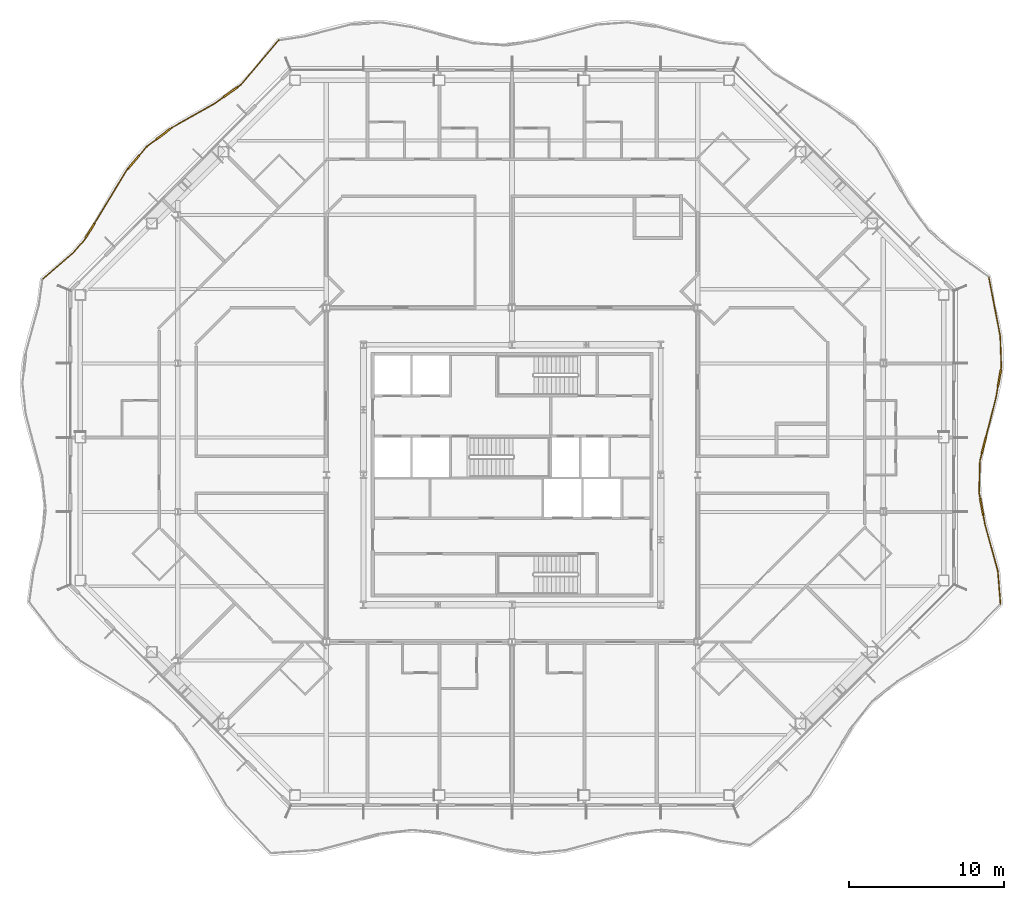
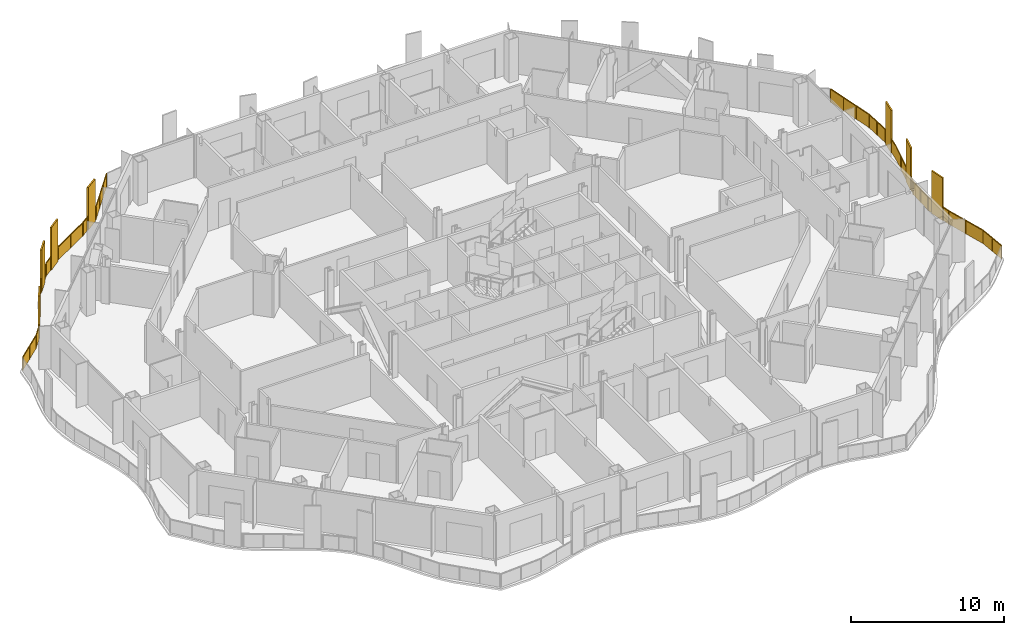
# One storey, part 20 of 21: 2 railings.
"""IFC4 building model written with IfcOpenShell, lengths in metres."""

from ifc_helpers import new_model, si_unit, direction, frame, origin, origin_2d, place, context, subcontext, project, spatial, polyline, rectangle, outline, extrude, material, type_object, element, save


model = new_model("IFC4")

# Units and contexts
model_context = context("Model", 3, precision=1e-05, world=origin(), true_north=direction((0.0, 1.0)))
body_context = subcontext(model_context, "Body", "Model", "MODEL_VIEW")
ifc_project = project(units=[si_unit("LENGTHUNIT", "METRE"), si_unit("AREAUNIT", "SQUARE_METRE"), si_unit("VOLUMEUNIT", "CUBIC_METRE"), si_unit("PLANEANGLEUNIT", "RADIAN"), si_unit("MASSUNIT", "GRAM", prefix="KILO")], contexts=[model_context])

# Site, building, storey
site_placement = place(None, origin())
site = spatial("IfcSite", under=ifc_project, at=site_placement, CompositionType="ELEMENT")
building_placement = place(site_placement, origin())
building = spatial("IfcBuilding", under=site, at=building_placement, Name="Cairn Pilgrim Tower", CompositionType="ELEMENT")
storey_placement = place(building_placement, frame((0.0, 0.0, 139.800048828125)))
storey = spatial("IfcBuildingStorey", under=building, at=storey_placement, Name="L34", CompositionType="ELEMENT", Elevation=139.800048828125)

# Railings
ifc_material = material(Name="Bronze anodised aluminium rail, posts and fin screens with laminated glass infill", Category="aluminium")
railing_type = type_object("IfcRailingType", Name="BALCONY GUARD WITH FIN SCREENS", PredefinedType="GUARDRAIL", material=ifc_material)
railing_1_placement = place(storey_placement, frame((38.767822265625, -5.95458984375, 0.0)))
element("IfcRailing", 1, at=railing_1_placement, inside=storey, type_object=railing_type, Name="Balcony guard BGF-3 with fin screens", PredefinedType="GUARDRAIL", context=body_context, shape_type="SweptSolid", body=[
    extrude(rectangle(XDim=0.050048828125, YDim=0.050048828125, at=origin_2d()), frame((0.0, 0.0, 1.0751953125), z_axis=(-0.080889182155, 0.996723101072, 0.0), x_axis=(-0.996723101072, -0.080889182155, 0.0)), (0.0, 0.0, 1.0), 2.14599609375),
    extrude(rectangle(XDim=0.050048828125, YDim=0.050048828125, at=origin_2d()), frame((-0.173583984375, 2.138916015625, 1.0751953125), z_axis=(-0.265487516633, 0.964114297431, 0.0), x_axis=(-0.964114297431, -0.265487516633, 0.0)), (0.0, 0.0, 1.0), 3.13671875),
    extrude(rectangle(XDim=1.10009765625, YDim=0.110107421875, at=origin_2d()), frame((-1.21435546875, 6.287841796875, 0.0), z_axis=(0.0, 0.0, 1.0), x_axis=(-0.181790485481, 0.983337286687, 0.0)), (0.0, 0.0, 1.0), 3.39990234375),
    extrude(rectangle(XDim=0.050048828125, YDim=0.050048828125, at=origin_2d()), frame((-1.00634765625, 5.1630859375, 1.0751953125), z_axis=(-0.181790485481, 0.983337286687, 0.0), x_axis=(-0.983337286687, -0.181790485481, 0.0)), (0.0, 0.0, 1.0), 0.593994140625),
    extrude(rectangle(XDim=0.050048828125, YDim=0.050048828125, at=origin_2d()), frame((-1.314208984375, 6.828857421875, 1.0751953125), z_axis=(-0.181790485481, 0.983337286687, 0.0), x_axis=(-0.983337286687, -0.181790485481, 0.0)), (0.0, 0.0, 1.0), 0.3837890625),
    extrude(rectangle(XDim=0.050048828125, YDim=0.050048828125, at=origin_2d()), frame((-1.384033203125, 7.2060546875, 1.0751953125), z_axis=(0.026859881236, 0.999639208305, 0.0), x_axis=(-0.999639208305, 0.026859881236, 0.0)), (0.0, 0.0, 1.0), 2.05419921875),
    extrude(rectangle(XDim=1.10009765625, YDim=0.110107421875, at=origin_2d()), frame((-1.074462890625, 10.261474609375, 0.0), z_axis=(0.0, 0.0, 1.0), x_axis=(0.245982331088, 0.969274312459, 0.0)), (0.0, 0.0, 1.0), 3.39990234375),
    extrude(rectangle(XDim=0.050048828125, YDim=0.050048828125, at=origin_2d()), frame((-1.328857421875, 9.259521484375, 1.0751953125), z_axis=(0.245982331088, 0.969274312459, 0.0), x_axis=(-0.969274312459, 0.245982331088, 0.0)), (0.0, 0.0, 1.0), 0.483642578125),
    extrude(rectangle(XDim=0.050048828125, YDim=0.050048828125, at=origin_2d()), frame((-0.939208984375, 10.794677734375, 1.0751953125), z_axis=(0.245982331088, 0.969274312459, 0.0), x_axis=(-0.969274312459, 0.245982331088, 0.0)), (0.0, 0.0, 1.0), 2.59765625),
    extrude(rectangle(XDim=1.10009765625, YDim=0.110107421875, at=origin_2d()), frame((-0.06787109375, 14.623291015625, 0.0), z_axis=(0.0, 0.0, 1.0), x_axis=(0.174642358515, 0.984631934589, 0.0)), (0.0, 0.0, 1.0), 3.39990234375),
    extrude(rectangle(XDim=0.050048828125, YDim=0.050048828125, at=origin_2d()), frame((-0.30029296875, 13.3125, 1.0751953125), z_axis=(0.174642358515, 0.984631934589, 0.0), x_axis=(-0.984631934589, 0.174642358515, 0.0)), (0.0, 0.0, 1.0), 0.78125),
    extrude(rectangle(XDim=0.050048828125, YDim=0.050048828125, at=origin_2d()), frame((0.0283203125, 15.164794921875, 1.0751953125), z_axis=(0.174642358515, 0.984631934589, 0.0), x_axis=(-0.984631934589, 0.174642358515, 0.0)), (0.0, 0.0, 1.0), 0.14990234375),
    extrude(rectangle(XDim=0.050048828125, YDim=0.050048828125, at=origin_2d()), frame((0.054443359375, 15.3125, 1.0751953125), z_axis=(-0.036228497932, 0.999343532494, 0.0), x_axis=(-0.999343532494, -0.036228497932, 0.0)), (0.0, 0.0, 1.0), 1.99462890625),
    extrude(rectangle(XDim=0.050048828125, YDim=0.050048828125, at=origin_2d()), frame((-0.017822265625, 17.305908203125, 1.0751953125), z_axis=(-0.189506592025, 0.981879448598, 0.0), x_axis=(-0.981879448598, -0.189506592025, 0.0)), (0.0, 0.0, 1.0), 3.859619140625),
    extrude(rectangle(XDim=0.050048828125, YDim=0.050048828125, at=origin_2d()), origin(), (0.0, 0.0, 1.0), 1.050048828125),
    extrude(rectangle(XDim=0.050048828125, YDim=0.050048828125, at=origin_2d()), frame((-0.0869140625, 1.0693359375, 0.0)), (0.0, 0.0, 1.0), 1.050048828125),
    extrude(rectangle(XDim=0.050048828125, YDim=0.050048828125, at=origin_2d()), frame((-0.173583984375, 2.138916015625, 0.0)), (0.0, 0.0, 1.0), 1.050048828125),
    extrude(rectangle(XDim=0.050048828125, YDim=0.050048828125, at=origin_2d()), frame((-0.58984375, 3.65087890625, 0.0)), (0.0, 0.0, 1.0), 1.050048828125),
    extrude(rectangle(XDim=0.050048828125, YDim=0.050048828125, at=origin_2d()), frame((-1.00634765625, 5.1630859375, 0.0)), (0.0, 0.0, 1.0), 1.050048828125),
    extrude(rectangle(XDim=0.050048828125, YDim=0.050048828125, at=origin_2d()), frame((-1.10986328125, 5.722412109375, 0.0)), (0.0, 0.0, 1.0), 1.050048828125),
    extrude(rectangle(XDim=0.050048828125, YDim=0.050048828125, at=origin_2d()), frame((-1.31884765625, 6.853271484375, 0.0)), (0.0, 0.0, 1.0), 1.050048828125),
    extrude(rectangle(XDim=0.050048828125, YDim=0.050048828125, at=origin_2d()), frame((-1.384033203125, 7.2060546875, 0.0)), (0.0, 0.0, 1.0), 1.050048828125),
    extrude(rectangle(XDim=0.050048828125, YDim=0.050048828125, at=origin_2d()), frame((-1.3564453125, 8.23291015625, 0.0)), (0.0, 0.0, 1.0), 1.050048828125),
    extrude(rectangle(XDim=0.050048828125, YDim=0.050048828125, at=origin_2d()), frame((-1.328857421875, 9.259521484375, 0.0)), (0.0, 0.0, 1.0), 1.050048828125),
    extrude(rectangle(XDim=0.050048828125, YDim=0.050048828125, at=origin_2d()), frame((-1.216064453125, 9.7041015625, 0.0)), (0.0, 0.0, 1.0), 1.050048828125),
    extrude(rectangle(XDim=0.050048828125, YDim=0.050048828125, at=origin_2d()), frame((-0.93310546875, 10.81884765625, 0.0)), (0.0, 0.0, 1.0), 1.050048828125),
    extrude(rectangle(XDim=0.050048828125, YDim=0.050048828125, at=origin_2d()), frame((-0.61669921875, 12.065673828125, 0.0)), (0.0, 0.0, 1.0), 1.050048828125),
    extrude(rectangle(XDim=0.050048828125, YDim=0.050048828125, at=origin_2d()), frame((-0.30029296875, 13.3125, 0.0)), (0.0, 0.0, 1.0), 1.050048828125),
    extrude(rectangle(XDim=0.050048828125, YDim=0.050048828125, at=origin_2d()), frame((-0.168212890625, 14.05712890625, 0.0)), (0.0, 0.0, 1.0), 1.050048828125),
    extrude(rectangle(XDim=0.050048828125, YDim=0.050048828125, at=origin_2d()), frame((0.03271484375, 15.189453125, 0.0)), (0.0, 0.0, 1.0), 1.050048828125),
    extrude(rectangle(XDim=0.050048828125, YDim=0.050048828125, at=origin_2d()), frame((0.054443359375, 15.3125, 0.0)), (0.0, 0.0, 1.0), 1.050048828125),
    extrude(rectangle(XDim=0.050048828125, YDim=0.050048828125, at=origin_2d()), frame((0.018310546875, 16.30908203125, 0.0)), (0.0, 0.0, 1.0), 1.050048828125),
    extrude(rectangle(XDim=0.050048828125, YDim=0.050048828125, at=origin_2d()), frame((-0.017822265625, 17.305908203125, 0.0)), (0.0, 0.0, 1.0), 1.050048828125),
    extrude(rectangle(XDim=0.050048828125, YDim=0.050048828125, at=origin_2d()), frame((-0.26171875, 18.569091796875, 0.0)), (0.0, 0.0, 1.0), 1.050048828125),
    extrude(rectangle(XDim=0.050048828125, YDim=0.050048828125, at=origin_2d()), frame((-0.50537109375, 19.83251953125, 0.0)), (0.0, 0.0, 1.0), 1.050048828125),
    extrude(rectangle(XDim=0.050048828125, YDim=0.050048828125, at=origin_2d()), frame((-0.749267578125, 21.095703125, 0.0)), (0.0, 0.0, 1.0), 1.050048828125),
    extrude(outline(polyline([(0.02490234375, 0.0), (1.0478515625, 0.0), (1.0478515625, 1.050048828125), (0.02490234375, 1.050048828125), (0.02490234375, 0.0)])), frame((-0.005859375, -0.00048828125, 0.0), z_axis=(0.996723101072, 0.080889182155, 0.0), x_axis=(-0.080889182155, 0.996723101072, 0.0)), (0.0, 0.0, 1.0), 0.011962890625),
    extrude(outline(polyline([(0.02490234375, 0.0), (1.0478515625, 0.0), (1.0478515625, 1.050048828125), (0.02490234375, 1.050048828125), (0.02490234375, 0.0)])), frame((-0.0927734375, 1.069091796875, 0.0), z_axis=(0.996723101072, 0.080889182155, 0.0), x_axis=(-0.080889182155, 0.996723101072, 0.0)), (0.0, 0.0, 1.0), 0.011962890625),
    extrude(outline(polyline([(0.02490234375, 0.0), (1.54345703125, 0.0), (1.54345703125, 1.050048828125), (0.02490234375, 1.050048828125), (0.02490234375, 0.0)])), frame((-0.179443359375, 2.13720703125, 0.0), z_axis=(0.964114297431, 0.265487516633, 0.0), x_axis=(-0.265487516633, 0.964114297431, 0.0)), (0.0, 0.0, 1.0), 0.011962890625),
    extrude(outline(polyline([(0.02490234375, 0.0), (1.54345703125, 0.0), (1.54345703125, 1.050048828125), (0.02490234375, 1.050048828125), (0.02490234375, 0.0)])), frame((-0.595703125, 3.6494140625, 0.0), z_axis=(0.964114297431, 0.265487516633, 0.0), x_axis=(-0.265487516633, 0.964114297431, 0.0)), (0.0, 0.0, 1.0), 0.011962890625),
    extrude(outline(polyline([(0.02490234375, 0.0), (0.5439453125, 0.0), (0.5439453125, 1.050048828125), (0.02490234375, 1.050048828125), (0.02490234375, 0.0)])), frame((-1.01220703125, 5.162109375, 0.0), z_axis=(0.983337286687, 0.181790485481, 0.0), x_axis=(-0.181790485481, 0.983337286687, 0.0)), (0.0, 0.0, 1.0), 0.011962890625),
    extrude(outline(polyline([(0.02490234375, 0.0), (0.333740234375, 0.0), (0.333740234375, 1.050048828125), (0.02490234375, 1.050048828125), (0.02490234375, 0.0)])), frame((-1.32470703125, 6.852294921875, 0.0), z_axis=(0.983337286687, 0.181790485481, 0.0), x_axis=(-0.181790485481, 0.983337286687, 0.0)), (0.0, 0.0, 1.0), 0.011962890625),
    extrude(outline(polyline([(0.02490234375, 0.0), (1.002197265625, 0.0), (1.002197265625, 1.050048828125), (0.02490234375, 1.050048828125), (0.02490234375, 0.0)])), frame((-1.389892578125, 7.206298828125, 0.0), z_axis=(0.999639208305, -0.026859881236, 0.0), x_axis=(0.026859881236, 0.999639208305, 0.0)), (0.0, 0.0, 1.0), 0.011962890625),
    extrude(outline(polyline([(0.02490234375, 0.0), (1.002197265625, 0.0), (1.002197265625, 1.050048828125), (0.02490234375, 1.050048828125), (0.02490234375, 0.0)])), frame((-1.3623046875, 8.23291015625, 0.0), z_axis=(0.999639208305, -0.026859881236, 0.0), x_axis=(0.026859881236, 0.999639208305, 0.0)), (0.0, 0.0, 1.0), 0.011962890625),
    extrude(outline(polyline([(0.02490234375, 0.0), (0.43359375, 0.0), (0.43359375, 1.050048828125), (0.02490234375, 1.050048828125), (0.02490234375, 0.0)])), frame((-1.334716796875, 9.260986328125, 0.0), z_axis=(0.969274312459, -0.245982331088, 0.0), x_axis=(0.245982331088, 0.969274312459, 0.0)), (0.0, 0.0, 1.0), 0.011962890625),
    extrude(outline(polyline([(0.02490234375, 0.0), (1.26123046875, 0.0), (1.26123046875, 1.050048828125), (0.02490234375, 1.050048828125), (0.02490234375, 0.0)])), frame((-0.93896484375, 10.8203125, 0.0), z_axis=(0.969274312459, -0.245982331088, 0.0), x_axis=(0.245982331088, 0.969274312459, 0.0)), (0.0, 0.0, 1.0), 0.011962890625),
    extrude(outline(polyline([(0.02490234375, 0.0), (1.26123046875, 0.0), (1.26123046875, 1.050048828125), (0.02490234375, 1.050048828125), (0.02490234375, 0.0)])), frame((-0.62255859375, 12.067138671875, 0.0), z_axis=(0.969274312459, -0.245982331088, 0.0), x_axis=(0.245982331088, 0.969274312459, 0.0)), (0.0, 0.0, 1.0), 0.011962890625),
    extrude(outline(polyline([(0.02490234375, 0.0), (0.731201171875, 0.0), (0.731201171875, 1.050048828125), (0.02490234375, 1.050048828125), (0.02490234375, 0.0)])), frame((-0.30615234375, 13.3134765625, 0.0), z_axis=(0.984631934589, -0.174642358515, 0.0), x_axis=(0.174642358515, 0.984631934589, 0.0)), (0.0, 0.0, 1.0), 0.011962890625),
    extrude(outline(polyline([(0.02490234375, 0.0), (0.099853515625, 0.0), (0.099853515625, 1.050048828125), (0.02490234375, 1.050048828125), (0.02490234375, 0.0)])), frame((0.02685546875, 15.1904296875, 0.0), z_axis=(0.984631934589, -0.174642358515, 0.0), x_axis=(0.174642358515, 0.984631934589, 0.0)), (0.0, 0.0, 1.0), 0.011962890625),
    extrude(outline(polyline([(0.02490234375, 0.0), (0.972412109375, 0.0), (0.972412109375, 1.050048828125), (0.02490234375, 1.050048828125), (0.02490234375, 0.0)])), frame((0.048583984375, 15.312255859375, 0.0), z_axis=(0.999343532494, 0.036228497932, 0.0), x_axis=(-0.036228497932, 0.999343532494, 0.0)), (0.0, 0.0, 1.0), 0.011962890625),
    extrude(outline(polyline([(0.02490234375, 0.0), (0.972412109375, 0.0), (0.972412109375, 1.050048828125), (0.02490234375, 1.050048828125), (0.02490234375, 0.0)])), frame((0.012451171875, 16.30908203125, 0.0), z_axis=(0.999343532494, 0.036228497932, 0.0), x_axis=(-0.036228497932, 0.999343532494, 0.0)), (0.0, 0.0, 1.0), 0.011962890625),
    extrude(outline(polyline([(0.02490234375, 0.0), (1.261474609375, 0.0), (1.261474609375, 1.050048828125), (0.02490234375, 1.050048828125), (0.02490234375, 0.0)])), frame((-0.023681640625, 17.3046875, 0.0), z_axis=(0.981879448598, 0.189506592025, 0.0), x_axis=(-0.189506592025, 0.981879448598, 0.0)), (0.0, 0.0, 1.0), 0.011962890625),
    extrude(outline(polyline([(0.02490234375, 0.0), (1.261474609375, 0.0), (1.261474609375, 1.050048828125), (0.02490234375, 1.050048828125), (0.02490234375, 0.0)])), frame((-0.267578125, 18.568115234375, 0.0), z_axis=(0.981879448598, 0.189506592025, 0.0), x_axis=(-0.189506592025, 0.981879448598, 0.0)), (0.0, 0.0, 1.0), 0.011962890625),
    extrude(outline(polyline([(0.02490234375, 0.0), (1.261474609375, 0.0), (1.261474609375, 1.050048828125), (0.02490234375, 1.050048828125), (0.02490234375, 0.0)])), frame((-0.51123046875, 19.831298828125, 0.0), z_axis=(0.981879448598, 0.189506592025, 0.0), x_axis=(-0.189506592025, 0.981879448598, 0.0)), (0.0, 0.0, 1.0), 0.011962890625),
])
railing_2_placement = place(storey_placement, frame((-7.87841796875, 30.486328125, 0.0)))
element("IfcRailing", 2, at=railing_2_placement, inside=storey, type_object=railing_type, Name="Balcony guard BGF-6 with fin screens", PredefinedType="GUARDRAIL", context=body_context, shape_type="SweptSolid", body=[
    extrude(rectangle(XDim=0.050048828125, YDim=0.050048828125, at=origin_2d()), frame((0.0, 0.0, 1.0751953125), z_axis=(-0.648153636662, -0.761509595003, 0.0), x_axis=(0.761509595003, -0.648153636662, 0.0)), (0.0, 0.0, 1.0), 3.786376953125),
    extrude(rectangle(XDim=1.10009765625, YDim=0.110107421875, at=origin_2d()), frame((-3.097412109375, -3.3408203125, 0.0), z_axis=(0.0, 0.0, 1.0), x_axis=(-0.81491489283, -0.579580639293, 0.0)), (0.0, 0.0, 1.0), 3.39990234375),
    extrude(rectangle(XDim=0.050048828125, YDim=0.050048828125, at=origin_2d()), frame((-2.4541015625, -2.88330078125, 1.0751953125), z_axis=(-0.81491489283, -0.579580639293, 0.0), x_axis=(0.579580639293, -0.81491489283, 0.0)), (0.0, 0.0, 1.0), 0.2392578125),
    extrude(rectangle(XDim=0.050048828125, YDim=0.050048828125, at=origin_2d()), frame((-3.54541015625, -3.659423828125, 1.0751953125), z_axis=(-0.81491489283, -0.579580639293, 0.0), x_axis=(0.579580639293, -0.81491489283, 0.0)), (0.0, 0.0, 1.0), 0.752197265625),
    extrude(rectangle(XDim=0.050048828125, YDim=0.050048828125, at=origin_2d()), frame((-4.158447265625, -4.095458984375, 1.0751953125), z_axis=(-0.870072876062, -0.492923107939, 0.0), x_axis=(0.492923107939, -0.870072876062, 0.0)), (0.0, 0.0, 1.0), 3.16748046875),
    extrude(rectangle(XDim=1.10009765625, YDim=0.110107421875, at=origin_2d()), frame((-7.473388671875, -6.077880859375, 0.0), z_axis=(0.0, 0.0, 1.0), x_axis=(-0.79875722048, -0.601653473963, 0.0)), (0.0, 0.0, 1.0), 3.39990234375),
    extrude(rectangle(XDim=0.050048828125, YDim=0.050048828125, at=origin_2d()), frame((-6.914306640625, -5.65673828125, 1.0751953125), z_axis=(-0.79875722048, -0.601653473963, 0.0), x_axis=(0.601653473963, -0.79875722048, 0.0)), (0.0, 0.0, 1.0), 0.150146484375),
    extrude(rectangle(XDim=0.050048828125, YDim=0.050048828125, at=origin_2d()), frame((-7.912841796875, -6.408935546875, 1.0751953125), z_axis=(-0.79875722048, -0.601653473963, 0.0), x_axis=(0.601653473963, -0.79875722048, 0.0)), (0.0, 0.0, 1.0), 0.780029296875),
    extrude(rectangle(XDim=1.10009765625, YDim=0.110107421875, at=origin_2d()), frame((-9.38720703125, -7.8798828125, 0.0), z_axis=(0.0, 0.0, 1.0), x_axis=(-0.647651938009, -0.761936327519, 0.0)), (0.0, 0.0, 1.0), 3.39990234375),
    extrude(rectangle(XDim=0.050048828125, YDim=0.050048828125, at=origin_2d()), frame((-8.535888671875, -6.878173828125, 1.0751953125), z_axis=(-0.647651938009, -0.761936327519, 0.0), x_axis=(0.761936327519, -0.647651938009, 0.0)), (0.0, 0.0, 1.0), 0.7646484375),
    extrude(rectangle(XDim=0.050048828125, YDim=0.050048828125, at=origin_2d()), frame((-9.743408203125, -8.298828125, 1.0751953125), z_axis=(-0.647651938009, -0.761936327519, 0.0), x_axis=(0.761936327519, -0.647651938009, 0.0)), (0.0, 0.0, 1.0), 0.14990234375),
    extrude(rectangle(XDim=1.10009765625, YDim=0.110107421875, at=origin_2d()), frame((-12.192138671875, -12.301025390625, 0.0), z_axis=(0.0, 0.0, 1.0), x_axis=(-0.517546194079, -0.855655267613, 0.0)), (0.0, 0.0, 1.0), 3.39990234375),
    extrude(rectangle(XDim=0.050048828125, YDim=0.050048828125, at=origin_2d()), frame((-9.840576171875, -8.4130859375, 1.0751953125), z_axis=(-0.517546194079, -0.855655267613, 0.0), x_axis=(0.855655267613, -0.517546194079, 0.0)), (0.0, 0.0, 1.0), 3.99365234375),
    extrude(rectangle(XDim=0.050048828125, YDim=0.050048828125, at=origin_2d()), frame((-12.476806640625, -12.771484375, 1.0751953125), z_axis=(-0.517546194079, -0.855655267613, 0.0), x_axis=(0.855655267613, -0.517546194079, 0.0)), (0.0, 0.0, 1.0), 0.14990234375),
    extrude(rectangle(XDim=0.050048828125, YDim=0.050048828125, at=origin_2d()), frame((-12.554443359375, -12.89990234375, 1.0751953125), z_axis=(-0.652944244949, -0.757405976335, 0.0), x_axis=(0.757405976335, -0.652944244949, 0.0)), (0.0, 0.0, 1.0), 1.044677734375),
    extrude(rectangle(XDim=0.050048828125, YDim=0.050048828125, at=origin_2d()), frame((-13.236572265625, -13.691162109375, 1.0751953125), z_axis=(-0.755984828565, -0.654589137535, 0.0), x_axis=(0.654589137535, -0.755984828565, 0.0)), (0.0, 0.0, 1.0), 2.641357421875),
    extrude(rectangle(XDim=0.050048828125, YDim=0.050048828125, at=origin_2d()), origin(), (0.0, 0.0, 1.0), 1.050048828125),
    extrude(rectangle(XDim=0.050048828125, YDim=0.050048828125, at=origin_2d()), frame((-0.818115234375, -0.961181640625, 0.0)), (0.0, 0.0, 1.0), 1.050048828125),
    extrude(rectangle(XDim=0.050048828125, YDim=0.050048828125, at=origin_2d()), frame((-1.635986328125, -1.922119140625, 0.0)), (0.0, 0.0, 1.0), 1.050048828125),
    extrude(rectangle(XDim=0.050048828125, YDim=0.050048828125, at=origin_2d()), frame((-2.4541015625, -2.88330078125, 0.0)), (0.0, 0.0, 1.0), 1.050048828125),
    extrude(rectangle(XDim=0.050048828125, YDim=0.050048828125, at=origin_2d()), frame((-2.628662109375, -3.007568359375, 0.0)), (0.0, 0.0, 1.0), 1.050048828125),
    extrude(rectangle(XDim=0.050048828125, YDim=0.050048828125, at=origin_2d()), frame((-3.56591796875, -3.674072265625, 0.0)), (0.0, 0.0, 1.0), 1.050048828125),
    extrude(rectangle(XDim=0.050048828125, YDim=0.050048828125, at=origin_2d()), frame((-4.158447265625, -4.095458984375, 0.0)), (0.0, 0.0, 1.0), 1.050048828125),
    extrude(rectangle(XDim=0.050048828125, YDim=0.050048828125, at=origin_2d()), frame((-5.536376953125, -4.8759765625, 0.0)), (0.0, 0.0, 1.0), 1.050048828125),
    extrude(rectangle(XDim=0.050048828125, YDim=0.050048828125, at=origin_2d()), frame((-6.914306640625, -5.65673828125, 0.0)), (0.0, 0.0, 1.0), 1.050048828125),
    extrude(rectangle(XDim=0.050048828125, YDim=0.050048828125, at=origin_2d()), frame((-7.01416015625, -5.73193359375, 0.0)), (0.0, 0.0, 1.0), 1.050048828125),
    extrude(rectangle(XDim=0.050048828125, YDim=0.050048828125, at=origin_2d()), frame((-7.932861328125, -6.423828125, 0.0)), (0.0, 0.0, 1.0), 1.050048828125),
    extrude(rectangle(XDim=0.050048828125, YDim=0.050048828125, at=origin_2d()), frame((-8.535888671875, -6.878173828125, 0.0)), (0.0, 0.0, 1.0), 1.050048828125),
    extrude(rectangle(XDim=0.050048828125, YDim=0.050048828125, at=origin_2d()), frame((-9.014892578125, -7.441650390625, 0.0)), (0.0, 0.0, 1.0), 1.050048828125),
    extrude(rectangle(XDim=0.050048828125, YDim=0.050048828125, at=origin_2d()), frame((-9.759765625, -8.31787109375, 0.0)), (0.0, 0.0, 1.0), 1.050048828125),
    extrude(rectangle(XDim=0.050048828125, YDim=0.050048828125, at=origin_2d()), frame((-9.840576171875, -8.4130859375, 0.0)), (0.0, 0.0, 1.0), 1.050048828125),
    extrude(rectangle(XDim=0.050048828125, YDim=0.050048828125, at=origin_2d()), frame((-10.525146484375, -9.544921875, 0.0)), (0.0, 0.0, 1.0), 1.050048828125),
    extrude(rectangle(XDim=0.050048828125, YDim=0.050048828125, at=origin_2d()), frame((-11.2099609375, -10.677001953125, 0.0)), (0.0, 0.0, 1.0), 1.050048828125),
    extrude(rectangle(XDim=0.050048828125, YDim=0.050048828125, at=origin_2d()), frame((-11.89453125, -11.808837890625, 0.0)), (0.0, 0.0, 1.0), 1.050048828125),
    extrude(rectangle(XDim=0.050048828125, YDim=0.050048828125, at=origin_2d()), frame((-12.48974609375, -12.79296875, 0.0)), (0.0, 0.0, 1.0), 1.050048828125),
    extrude(rectangle(XDim=0.050048828125, YDim=0.050048828125, at=origin_2d()), frame((-12.554443359375, -12.89990234375, 0.0)), (0.0, 0.0, 1.0), 1.050048828125),
    extrude(rectangle(XDim=0.050048828125, YDim=0.050048828125, at=origin_2d()), frame((-13.236572265625, -13.691162109375, 0.0)), (0.0, 0.0, 1.0), 1.050048828125),
    extrude(rectangle(XDim=0.050048828125, YDim=0.050048828125, at=origin_2d()), frame((-14.23486328125, -14.5556640625, 0.0)), (0.0, 0.0, 1.0), 1.050048828125),
    extrude(rectangle(XDim=0.050048828125, YDim=0.050048828125, at=origin_2d()), frame((-15.2333984375, -15.420166015625, 0.0)), (0.0, 0.0, 1.0), 1.050048828125),
    extrude(outline(polyline([(0.02490234375, 0.0), (1.237060546875, 0.0), (1.237060546875, 1.050048828125), (0.02490234375, 1.050048828125), (0.02490234375, 0.0)])), frame((0.004638671875, -0.00390625, 0.0), z_axis=(-0.761509595003, 0.648153636662, 0.0), x_axis=(-0.648153636662, -0.761509595003, 0.0)), (0.0, 0.0, 1.0), 0.011962890625),
    extrude(outline(polyline([(0.02490234375, 0.0), (1.237060546875, 0.0), (1.237060546875, 1.050048828125), (0.02490234375, 1.050048828125), (0.02490234375, 0.0)])), frame((-0.8134765625, -0.965087890625, 0.0), z_axis=(-0.761509595003, 0.648153636662, 0.0), x_axis=(-0.648153636662, -0.761509595003, 0.0)), (0.0, 0.0, 1.0), 0.011962890625),
    extrude(outline(polyline([(0.02490234375, 0.0), (1.237060546875, 0.0), (1.237060546875, 1.050048828125), (0.02490234375, 1.050048828125), (0.02490234375, 0.0)])), frame((-1.631591796875, -1.926025390625, 0.0), z_axis=(-0.761509595003, 0.648153636662, 0.0), x_axis=(-0.648153636662, -0.761509595003, 0.0)), (0.0, 0.0, 1.0), 0.011962890625),
    extrude(outline(polyline([(0.02490234375, 0.0), (0.189208984375, 0.0), (0.189208984375, 1.050048828125), (0.02490234375, 1.050048828125), (0.02490234375, 0.0)])), frame((-2.45068359375, -2.88818359375, 0.0), z_axis=(-0.579580639293, 0.81491489283, 0.0), x_axis=(-0.81491489283, -0.579580639293, 0.0)), (0.0, 0.0, 1.0), 0.011962890625),
    extrude(outline(polyline([(0.02490234375, 0.0), (0.7021484375, 0.0), (0.7021484375, 1.050048828125), (0.02490234375, 1.050048828125), (0.02490234375, 0.0)])), frame((-3.5625, -3.678955078125, 0.0), z_axis=(-0.579580639293, 0.81491489283, 0.0), x_axis=(-0.81491489283, -0.579580639293, 0.0)), (0.0, 0.0, 1.0), 0.011962890625),
    extrude(outline(polyline([(0.02490234375, 0.0), (1.55859375, 0.0), (1.55859375, 1.050048828125), (0.02490234375, 1.050048828125), (0.02490234375, 0.0)])), frame((-4.155517578125, -4.1005859375, 0.0), z_axis=(-0.492923107939, 0.870072876062, 0.0), x_axis=(-0.870072876062, -0.492923107939, 0.0)), (0.0, 0.0, 1.0), 0.011962890625),
    extrude(outline(polyline([(0.02490234375, 0.0), (1.55859375, 0.0), (1.55859375, 1.050048828125), (0.02490234375, 1.050048828125), (0.02490234375, 0.0)])), frame((-5.533447265625, -4.88134765625, 0.0), z_axis=(-0.492923107939, 0.870072876062, 0.0), x_axis=(-0.870072876062, -0.492923107939, 0.0)), (0.0, 0.0, 1.0), 0.011962890625),
    extrude(outline(polyline([(0.02490234375, 0.0), (0.10009765625, 0.0), (0.10009765625, 1.050048828125), (0.02490234375, 1.050048828125), (0.02490234375, 0.0)])), frame((-6.91064453125, -5.66162109375, 0.0), z_axis=(-0.601653473963, 0.79875722048, 0.0), x_axis=(-0.79875722048, -0.601653473963, 0.0)), (0.0, 0.0, 1.0), 0.011962890625),
    extrude(outline(polyline([(0.02490234375, 0.0), (0.72998046875, 0.0), (0.72998046875, 1.050048828125), (0.02490234375, 1.050048828125), (0.02490234375, 0.0)])), frame((-7.92919921875, -6.4287109375, 0.0), z_axis=(-0.601653473963, 0.79875722048, 0.0), x_axis=(-0.79875722048, -0.601653473963, 0.0)), (0.0, 0.0, 1.0), 0.011962890625),
    extrude(outline(polyline([(0.02490234375, 0.0), (0.714599609375, 0.0), (0.714599609375, 1.050048828125), (0.02490234375, 1.050048828125), (0.02490234375, 0.0)])), frame((-8.53125, -6.882080078125, 0.0), z_axis=(-0.761936327519, 0.647651938009, 0.0), x_axis=(-0.647651938009, -0.761936327519, 0.0)), (0.0, 0.0, 1.0), 0.011962890625),
    extrude(outline(polyline([(0.02490234375, 0.0), (0.099853515625, 0.0), (0.099853515625, 1.050048828125), (0.02490234375, 1.050048828125), (0.02490234375, 0.0)])), frame((-9.755126953125, -8.32177734375, 0.0), z_axis=(-0.761936327519, 0.647651938009, 0.0), x_axis=(-0.647651938009, -0.761936327519, 0.0)), (0.0, 0.0, 1.0), 0.011962890625),
    extrude(outline(polyline([(0.02490234375, 0.0), (1.2978515625, 0.0), (1.2978515625, 1.050048828125), (0.02490234375, 1.050048828125), (0.02490234375, 0.0)])), frame((-9.83544921875, -8.416259765625, 0.0), z_axis=(-0.855655267613, 0.517546194079, 0.0), x_axis=(-0.517546194079, -0.855655267613, 0.0)), (0.0, 0.0, 1.0), 0.011962890625),
    extrude(outline(polyline([(0.02490234375, 0.0), (1.2978515625, 0.0), (1.2978515625, 1.050048828125), (0.02490234375, 1.050048828125), (0.02490234375, 0.0)])), frame((-10.52001953125, -9.548095703125, 0.0), z_axis=(-0.855655267613, 0.517546194079, 0.0), x_axis=(-0.517546194079, -0.855655267613, 0.0)), (0.0, 0.0, 1.0), 0.011962890625),
    extrude(outline(polyline([(0.02490234375, 0.0), (1.2978515625, 0.0), (1.2978515625, 1.050048828125), (0.02490234375, 1.050048828125), (0.02490234375, 0.0)])), frame((-11.204833984375, -10.68017578125, 0.0), z_axis=(-0.855655267613, 0.517546194079, 0.0), x_axis=(-0.517546194079, -0.855655267613, 0.0)), (0.0, 0.0, 1.0), 0.011962890625),
    extrude(outline(polyline([(0.02490234375, 0.0), (0.099853515625, 0.0), (0.099853515625, 1.050048828125), (0.02490234375, 1.050048828125), (0.02490234375, 0.0)])), frame((-12.484619140625, -12.796142578125, 0.0), z_axis=(-0.855655267613, 0.517546194079, 0.0), x_axis=(-0.517546194079, -0.855655267613, 0.0)), (0.0, 0.0, 1.0), 0.011962890625),
    extrude(outline(polyline([(0.02490234375, 0.0), (1.019775390625, 0.0), (1.019775390625, 1.050048828125), (0.02490234375, 1.050048828125), (0.02490234375, 0.0)])), frame((-12.5498046875, -12.90380859375, 0.0), z_axis=(-0.757405976335, 0.652944244949, 0.0), x_axis=(-0.652944244949, -0.757405976335, 0.0)), (0.0, 0.0, 1.0), 0.011962890625),
    extrude(outline(polyline([(0.02490234375, 0.0), (1.295654296875, 0.0), (1.295654296875, 1.050048828125), (0.02490234375, 1.050048828125), (0.02490234375, 0.0)])), frame((-13.232666015625, -13.69580078125, 0.0), z_axis=(-0.654589137535, 0.755984828565, 0.0), x_axis=(-0.755984828565, -0.654589137535, 0.0)), (0.0, 0.0, 1.0), 0.011962890625),
    extrude(outline(polyline([(0.02490234375, 0.0), (1.295654296875, 0.0), (1.295654296875, 1.050048828125), (0.02490234375, 1.050048828125), (0.02490234375, 0.0)])), frame((-14.23095703125, -14.560302734375, 0.0), z_axis=(-0.654589137535, 0.755984828565, 0.0), x_axis=(-0.755984828565, -0.654589137535, 0.0)), (0.0, 0.0, 1.0), 0.011962890625),
])

save(model, "model.ifc")
